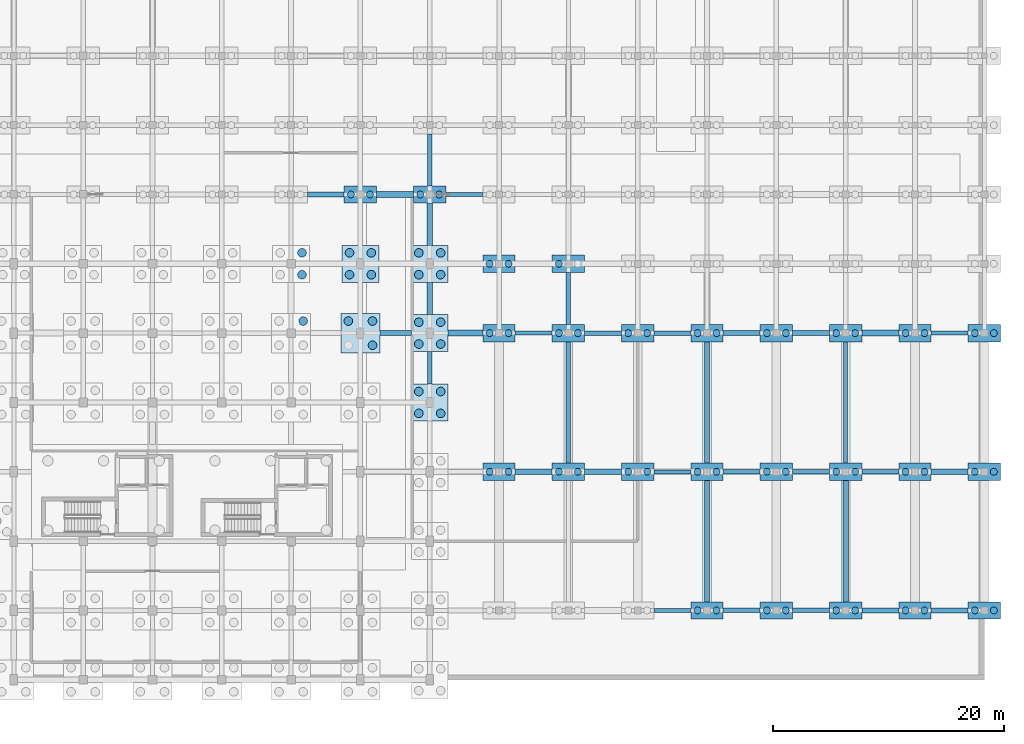
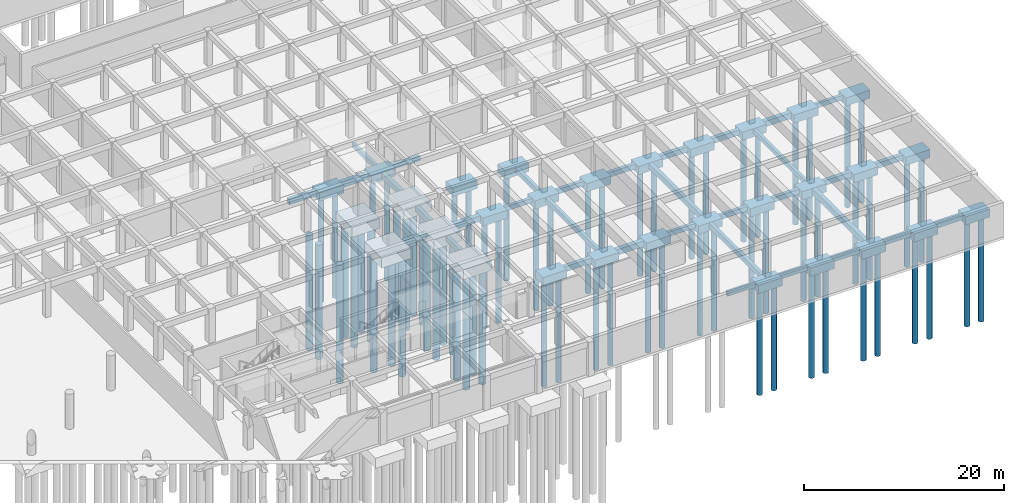
# One storey, part 10 of 41: 71 piles, 64 footings.
"""IFC4 building model written with IfcOpenShell, lengths in metres."""

from ifc_helpers import new_model, si_unit, direction, frame, origin, origin_2d, place, context, subcontext, project, spatial, polyline, rectangle, circle, outline, extrude, material, material_profile, profile_set, type_object, element, save


model = new_model("IFC4")

# Units and contexts
model_context = context("Model", 3, precision=1e-05, world=origin(), true_north=direction((0.0, 1.0)))
body_context = subcontext(model_context, "Body", "Model", "MODEL_VIEW")
ifc_project = project(units=[si_unit("LENGTHUNIT", "METRE"), si_unit("AREAUNIT", "SQUARE_METRE"), si_unit("VOLUMEUNIT", "CUBIC_METRE"), si_unit("PLANEANGLEUNIT", "RADIAN"), si_unit("MASSUNIT", "GRAM", prefix="KILO"), si_unit("POWERUNIT", "WATT"), si_unit("THERMODYNAMICTEMPERATUREUNIT", "KELVIN")], contexts=[model_context])

# Site, building, storey
site_placement = place(None, origin())
site = spatial("IfcSite", under=ifc_project, at=site_placement, CompositionType="ELEMENT")
building_placement = place(site_placement, origin())
building = spatial("IfcBuilding", under=site, at=building_placement, Name="Ruvembo Vaulted Housing Court", CompositionType="ELEMENT")
storey_placement = place(building_placement, frame((0.0, 0.0, -4.5)))
storey = spatial("IfcBuildingStorey", under=building, at=storey_placement, Name="B1", CompositionType="ELEMENT", Elevation=-4.5)

# Footings
ifc_material_1 = material(Name="Concrete C30/37", Category="concrete")
footing_type_1 = type_object("IfcFootingType", Name="GB-350x550", PredefinedType="FOOTING_BEAM", material=ifc_material_1)
footing_1_placement = place(storey_placement, frame((0.0, 0.0, -0.85009765625)))
element("IfcFooting", 1, at=footing_1_placement, inside=storey, type_object=footing_type_1, Name="Ground Tie Beam GB-018", PredefinedType="FOOTING_BEAM", context=body_context, shape_type="SweptSolid", body=[
    extrude(outline(polyline([(157.39990234375, 5.824951171875), (160.60009765625, 5.824951171875), (160.60009765625, 6.175048828125), (157.39990234375, 6.175048828125), (157.39990234375, 5.824951171875)])), origin(), (0.0, 0.0, 1.0), 0.550048828125),
])
footing_2_placement = place(storey_placement, frame((0.0, 0.0, -0.85009765625)))
element("IfcFooting", 2, at=footing_2_placement, inside=storey, type_object=footing_type_1, Name="Ground Tie Beam GB-030", PredefinedType="FOOTING_BEAM", context=body_context, shape_type="SweptSolid", body=[
    extrude(outline(polyline([(157.39990234375, 17.824951171875), (160.60009765625, 17.824951171875), (160.60009765625, 18.175048828125), (157.39990234375, 18.175048828125), (157.39990234375, 17.824951171875)])), origin(), (0.0, 0.0, 1.0), 0.550048828125),
])
footing_3_placement = place(storey_placement, frame((0.0, 0.0, -0.85009765625)))
element("IfcFooting", 3, at=footing_3_placement, inside=storey, type_object=footing_type_1, Name="Ground Tie Beam GB-048", PredefinedType="FOOTING_BEAM", context=body_context, shape_type="SweptSolid", body=[
    extrude(outline(polyline([(145.39990234375, 29.824951171875), (148.60009765625, 29.824951171875), (148.60009765625, 30.175048828125), (145.39990234375, 30.175048828125), (145.39990234375, 29.824951171875)])), origin(), (0.0, 0.0, 1.0), 0.550048828125),
])
footing_4_placement = place(storey_placement, frame((0.0, 0.0, -0.85009765625)))
element("IfcFooting", 4, at=footing_4_placement, inside=storey, type_object=footing_type_1, Name="Ground Tie Beam GB-054", PredefinedType="FOOTING_BEAM", context=body_context, shape_type="SweptSolid", body=[
    extrude(outline(polyline([(181.39990234375, 29.824951171875), (184.60009765625, 29.824951171875), (184.60009765625, 30.175048828125), (181.39990234375, 30.175048828125), (181.39990234375, 29.824951171875)])), origin(), (0.0, 0.0, 1.0), 0.550048828125),
])
footing_5_placement = place(storey_placement, frame((0.0, 0.0, -0.85009765625)))
element("IfcFooting", 5, at=footing_5_placement, inside=storey, type_object=footing_type_1, Name="Ground Tie Beam GB-078", PredefinedType="FOOTING_BEAM", context=body_context, shape_type="SweptSolid", body=[
    extrude(outline(polyline([(139.39990234375, 41.824951171875), (142.60009765625, 41.824951171875), (142.60009765625, 42.175048828125), (139.39990234375, 42.175048828125), (139.39990234375, 41.824951171875)])), origin(), (0.0, 0.0, 1.0), 0.550048828125),
])
footing_6_placement = place(storey_placement, frame((0.0, 0.0, -0.85009765625)))
element("IfcFooting", 6, at=footing_6_placement, inside=storey, type_object=footing_type_1, Name="Ground Tie Beam GB-300", PredefinedType="FOOTING_BEAM", context=body_context, shape_type="SweptSolid", body=[
    extrude(outline(polyline([(137.824951171875, 42.75), (138.175048828125, 42.75), (138.175048828125, 47.25), (137.824951171875, 47.25), (137.824951171875, 42.75)])), origin(), (0.0, 0.0, 1.0), 0.550048828125),
])
footing_7_placement = place(storey_placement, frame((0.0, 0.0, -0.85009765625)))
element("IfcFooting", 7, at=footing_7_placement, inside=storey, type_object=footing_type_1, Name="Ground Tie Beam GB-336", PredefinedType="FOOTING_BEAM", context=body_context, shape_type="SweptSolid", body=[
    extrude(outline(polyline([(173.824951171875, 18.75), (174.175048828125, 18.75), (174.175048828125, 29.25), (173.824951171875, 29.25), (173.824951171875, 18.75)])), origin(), (0.0, 0.0, 1.0), 0.550048828125),
])
footing_type_2 = type_object("IfcFootingType", Name="GB-380x580", PredefinedType="FOOTING_BEAM", material=ifc_material_1)
footing_8_placement = place(storey_placement, frame((0.0, 0.0, -0.8798828125)))
element("IfcFooting", 8, at=footing_8_placement, inside=storey, type_object=footing_type_2, Name="Ground Tie Beam GB-019", PredefinedType="FOOTING_BEAM", context=body_context, shape_type="SweptSolid", body=[
    extrude(outline(polyline([(163.39990234375, 5.81005859375), (166.60009765625, 5.81005859375), (166.60009765625, 6.18994140625), (163.39990234375, 6.18994140625), (163.39990234375, 5.81005859375)])), origin(), (0.0, 0.0, 1.0), 0.579833984375),
])
footing_9_placement = place(storey_placement, frame((0.0, 0.0, -0.8798828125)))
element("IfcFooting", 9, at=footing_9_placement, inside=storey, type_object=footing_type_2, Name="Ground Tie Beam GB-031", PredefinedType="FOOTING_BEAM", context=body_context, shape_type="SweptSolid", body=[
    extrude(outline(polyline([(163.39990234375, 17.81005859375), (166.60009765625, 17.81005859375), (166.60009765625, 18.18994140625), (163.39990234375, 18.18994140625), (163.39990234375, 17.81005859375)])), origin(), (0.0, 0.0, 1.0), 0.579833984375),
])
footing_10_placement = place(storey_placement, frame((0.0, 0.0, -0.8798828125)))
element("IfcFooting", 10, at=footing_10_placement, inside=storey, type_object=footing_type_2, Name="Ground Tie Beam GB-049", PredefinedType="FOOTING_BEAM", context=body_context, shape_type="SweptSolid", body=[
    extrude(outline(polyline([(151.39990234375, 29.81005859375), (154.60009765625, 29.81005859375), (154.60009765625, 30.18994140625), (151.39990234375, 30.18994140625), (151.39990234375, 29.81005859375)])), origin(), (0.0, 0.0, 1.0), 0.579833984375),
])
footing_11_placement = place(storey_placement, frame((0.0, 0.0, -0.8798828125)))
element("IfcFooting", 11, at=footing_11_placement, inside=storey, type_object=footing_type_2, Name="Ground Tie Beam GB-307", PredefinedType="FOOTING_BEAM", context=body_context, shape_type="SweptSolid", body=[
    extrude(outline(polyline([(149.81005859375, 18.75), (150.18994140625, 18.75), (150.18994140625, 29.25), (149.81005859375, 29.25), (149.81005859375, 18.75)])), origin(), (0.0, 0.0, 1.0), 0.579833984375),
])
footing_type_3 = type_object("IfcFootingType", Name="GB-400x600", PredefinedType="FOOTING_BEAM", material=ifc_material_1)
footing_12_placement = place(storey_placement, frame((0.0, 0.0, -0.89990234375)))
element("IfcFooting", 12, at=footing_12_placement, inside=storey, type_object=footing_type_3, Name="Ground Tie Beam GB-020", PredefinedType="FOOTING_BEAM", context=body_context, shape_type="SweptSolid", body=[
    extrude(outline(polyline([(169.39990234375, 5.800048828125), (172.60009765625, 5.800048828125), (172.60009765625, 6.199951171875), (169.39990234375, 6.199951171875), (169.39990234375, 5.800048828125)])), origin(), (0.0, 0.0, 1.0), 0.599853515625),
])
footing_13_placement = place(storey_placement, frame((0.0, 0.0, -0.89990234375)))
element("IfcFooting", 13, at=footing_13_placement, inside=storey, type_object=footing_type_3, Name="Ground Tie Beam GB-032", PredefinedType="FOOTING_BEAM", context=body_context, shape_type="SweptSolid", body=[
    extrude(outline(polyline([(169.39990234375, 17.800048828125), (172.60009765625, 17.800048828125), (172.60009765625, 18.199951171875), (169.39990234375, 18.199951171875), (169.39990234375, 17.800048828125)])), origin(), (0.0, 0.0, 1.0), 0.599853515625),
])
footing_14_placement = place(storey_placement, frame((0.0, 0.0, -0.89990234375)))
element("IfcFooting", 14, at=footing_14_placement, inside=storey, type_object=footing_type_3, Name="Ground Tie Beam GB-050", PredefinedType="FOOTING_BEAM", context=body_context, shape_type="SweptSolid", body=[
    extrude(outline(polyline([(157.39990234375, 29.800048828125), (160.60009765625, 29.800048828125), (160.60009765625, 30.199951171875), (157.39990234375, 30.199951171875), (157.39990234375, 29.800048828125)])), origin(), (0.0, 0.0, 1.0), 0.599853515625),
])
footing_15_placement = place(storey_placement, frame((0.0, 0.0, -0.89990234375)))
element("IfcFooting", 15, at=footing_15_placement, inside=storey, type_object=footing_type_3, Name="Ground Tie Beam GB-308", PredefinedType="FOOTING_BEAM", context=body_context, shape_type="SweptSolid", body=[
    extrude(outline(polyline([(149.800048828125, 30.75), (150.199951171875, 30.75), (150.199951171875, 35.25), (149.800048828125, 35.25), (149.800048828125, 30.75)])), origin(), (0.0, 0.0, 1.0), 0.599853515625),
])
footing_type_4 = type_object("IfcFootingType", Name="GB-420x620", PredefinedType="FOOTING_BEAM", material=ifc_material_1)
footing_16_placement = place(storey_placement, frame((0.0, 0.0, -0.919921875)))
element("IfcFooting", 16, at=footing_16_placement, inside=storey, type_object=footing_type_4, Name="Ground Tie Beam GB-021", PredefinedType="FOOTING_BEAM", context=body_context, shape_type="SweptSolid", body=[
    extrude(outline(polyline([(175.39990234375, 5.7900390625), (178.60009765625, 5.7900390625), (178.60009765625, 6.2099609375), (175.39990234375, 6.2099609375), (175.39990234375, 5.7900390625)])), origin(), (0.0, 0.0, 1.0), 0.619873046875),
])
footing_17_placement = place(storey_placement, frame((0.0, 0.0, -0.919921875)))
element("IfcFooting", 17, at=footing_17_placement, inside=storey, type_object=footing_type_4, Name="Ground Tie Beam GB-033", PredefinedType="FOOTING_BEAM", context=body_context, shape_type="SweptSolid", body=[
    extrude(outline(polyline([(175.39990234375, 17.7900390625), (178.60009765625, 17.7900390625), (178.60009765625, 18.2099609375), (175.39990234375, 18.2099609375), (175.39990234375, 17.7900390625)])), origin(), (0.0, 0.0, 1.0), 0.619873046875),
])
footing_18_placement = place(storey_placement, frame((0.0, 0.0, -0.919921875)))
element("IfcFooting", 18, at=footing_18_placement, inside=storey, type_object=footing_type_4, Name="Ground Tie Beam GB-051", PredefinedType="FOOTING_BEAM", context=body_context, shape_type="SweptSolid", body=[
    extrude(outline(polyline([(163.39990234375, 29.7900390625), (166.60009765625, 29.7900390625), (166.60009765625, 30.2099609375), (163.39990234375, 30.2099609375), (163.39990234375, 29.7900390625)])), origin(), (0.0, 0.0, 1.0), 0.619873046875),
])
footing_19_placement = place(storey_placement, frame((0.0, 0.0, -0.919921875)))
element("IfcFooting", 19, at=footing_19_placement, inside=storey, type_object=footing_type_4, Name="Ground Tie Beam GB-297", PredefinedType="FOOTING_BEAM", context=body_context, shape_type="SweptSolid", body=[
    extrude(outline(polyline([(137.7900390625, 25.60009765625), (138.2099609375, 25.60009765625), (138.2099609375, 28.39990234375), (137.7900390625, 28.39990234375), (137.7900390625, 25.60009765625)])), origin(), (0.0, 0.0, 1.0), 0.619873046875),
])
footing_20_placement = place(storey_placement, frame((0.0, 0.0, -0.919921875)))
element("IfcFooting", 20, at=footing_20_placement, inside=storey, type_object=footing_type_4, Name="Ground Tie Beam GB-321", PredefinedType="FOOTING_BEAM", context=body_context, shape_type="SweptSolid", body=[
    extrude(outline(polyline([(161.7900390625, 6.75), (162.2099609375, 6.75), (162.2099609375, 17.25), (161.7900390625, 17.25), (161.7900390625, 6.75)])), origin(), (0.0, 0.0, 1.0), 0.619873046875),
])
footing_type_5 = type_object("IfcFootingType", Name="GB-450x650", PredefinedType="FOOTING_BEAM", material=ifc_material_1)
footing_21_placement = place(storey_placement, frame((0.0, 0.0, -0.949951171875)))
element("IfcFooting", 21, at=footing_21_placement, inside=storey, type_object=footing_type_5, Name="Ground Tie Beam GB-022", PredefinedType="FOOTING_BEAM", context=body_context, shape_type="SweptSolid", body=[
    extrude(outline(polyline([(181.39990234375, 5.77490234375), (184.60009765625, 5.77490234375), (184.60009765625, 6.22509765625), (181.39990234375, 6.22509765625), (181.39990234375, 5.77490234375)])), origin(), (0.0, 0.0, 1.0), 0.64990234375),
])
footing_22_placement = place(storey_placement, frame((0.0, 0.0, -0.949951171875)))
element("IfcFooting", 22, at=footing_22_placement, inside=storey, type_object=footing_type_5, Name="Ground Tie Beam GB-028", PredefinedType="FOOTING_BEAM", context=body_context, shape_type="SweptSolid", body=[
    extrude(outline(polyline([(145.39990234375, 17.77490234375), (148.60009765625, 17.77490234375), (148.60009765625, 18.22509765625), (145.39990234375, 18.22509765625), (145.39990234375, 17.77490234375)])), origin(), (0.0, 0.0, 1.0), 0.64990234375),
])
footing_23_placement = place(storey_placement, frame((0.0, 0.0, -0.949951171875)))
element("IfcFooting", 23, at=footing_23_placement, inside=storey, type_object=footing_type_5, Name="Ground Tie Beam GB-034", PredefinedType="FOOTING_BEAM", context=body_context, shape_type="SweptSolid", body=[
    extrude(outline(polyline([(181.39990234375, 17.77490234375), (184.60009765625, 17.77490234375), (184.60009765625, 18.22509765625), (181.39990234375, 18.22509765625), (181.39990234375, 17.77490234375)])), origin(), (0.0, 0.0, 1.0), 0.64990234375),
])
footing_24_placement = place(storey_placement, frame((0.0, 0.0, -0.949951171875)))
element("IfcFooting", 24, at=footing_24_placement, inside=storey, type_object=footing_type_5, Name="Ground Tie Beam GB-046", PredefinedType="FOOTING_BEAM", context=body_context, shape_type="SweptSolid", body=[
    extrude(outline(polyline([(133.699951171875, 29.77490234375), (136.39990234375, 29.77490234375), (136.39990234375, 30.22509765625), (133.699951171875, 30.22509765625), (133.699951171875, 29.77490234375)])), origin(), (0.0, 0.0, 1.0), 0.64990234375),
])
footing_25_placement = place(storey_placement, frame((0.0, 0.0, -0.949951171875)))
element("IfcFooting", 25, at=footing_25_placement, inside=storey, type_object=footing_type_5, Name="Ground Tie Beam GB-052", PredefinedType="FOOTING_BEAM", context=body_context, shape_type="SweptSolid", body=[
    extrude(outline(polyline([(169.39990234375, 29.77490234375), (172.60009765625, 29.77490234375), (172.60009765625, 30.22509765625), (169.39990234375, 30.22509765625), (169.39990234375, 29.77490234375)])), origin(), (0.0, 0.0, 1.0), 0.64990234375),
])
footing_26_placement = place(storey_placement, frame((0.0, 0.0, -0.949951171875)))
element("IfcFooting", 26, at=footing_26_placement, inside=storey, type_object=footing_type_5, Name="Ground Tie Beam GB-076", PredefinedType="FOOTING_BEAM", context=body_context, shape_type="SweptSolid", body=[
    extrude(outline(polyline([(127.39990234375, 41.77490234375), (130.60009765625, 41.77490234375), (130.60009765625, 42.22509765625), (127.39990234375, 42.22509765625), (127.39990234375, 41.77490234375)])), origin(), (0.0, 0.0, 1.0), 0.64990234375),
])
footing_27_placement = place(storey_placement, frame((0.0, 0.0, -0.949951171875)))
element("IfcFooting", 27, at=footing_27_placement, inside=storey, type_object=footing_type_5, Name="Ground Tie Beam GB-298", PredefinedType="FOOTING_BEAM", context=body_context, shape_type="SweptSolid", body=[
    extrude(outline(polyline([(137.77490234375, 31.60009765625), (138.22509765625, 31.60009765625), (138.22509765625, 34.39990234375), (137.77490234375, 34.39990234375), (137.77490234375, 31.60009765625)])), origin(), (0.0, 0.0, 1.0), 0.64990234375),
])
footing_28_placement = place(storey_placement, frame((0.0, 0.0, -0.949951171875)))
element("IfcFooting", 28, at=footing_28_placement, inside=storey, type_object=footing_type_5, Name="Ground Tie Beam GB-322", PredefinedType="FOOTING_BEAM", context=body_context, shape_type="SweptSolid", body=[
    extrude(outline(polyline([(161.77490234375, 18.75), (162.22509765625, 18.75), (162.22509765625, 29.25), (161.77490234375, 29.25), (161.77490234375, 18.75)])), origin(), (0.0, 0.0, 1.0), 0.64990234375),
])
footing_type_6 = type_object("IfcFootingType", Name="GB-500x700", PredefinedType="FOOTING_BEAM", material=ifc_material_1)
footing_29_placement = place(storey_placement, frame((0.0, 0.0, -1.0)))
element("IfcFooting", 29, at=footing_29_placement, inside=storey, type_object=footing_type_6, Name="Ground Tie Beam GB-029", PredefinedType="FOOTING_BEAM", context=body_context, shape_type="SweptSolid", body=[
    extrude(outline(polyline([(151.39990234375, 17.75), (154.60009765625, 17.75), (154.60009765625, 18.25), (151.39990234375, 18.25), (151.39990234375, 17.75)])), origin(), (0.0, 0.0, 1.0), 0.699951171875),
])
footing_30_placement = place(storey_placement, frame((0.0, 0.0, -1.0)))
element("IfcFooting", 30, at=footing_30_placement, inside=storey, type_object=footing_type_6, Name="Ground Tie Beam GB-047", PredefinedType="FOOTING_BEAM", context=body_context, shape_type="SweptSolid", body=[
    extrude(outline(polyline([(139.60009765625, 29.75), (142.60009765625, 29.75), (142.60009765625, 30.25), (139.60009765625, 30.25), (139.60009765625, 29.75)])), origin(), (0.0, 0.0, 1.0), 0.699951171875),
])
footing_31_placement = place(storey_placement, frame((0.0, 0.0, -1.0)))
element("IfcFooting", 31, at=footing_31_placement, inside=storey, type_object=footing_type_6, Name="Ground Tie Beam GB-053", PredefinedType="FOOTING_BEAM", context=body_context, shape_type="SweptSolid", body=[
    extrude(outline(polyline([(175.39990234375, 29.75), (178.60009765625, 29.75), (178.60009765625, 30.25), (175.39990234375, 30.25), (175.39990234375, 29.75)])), origin(), (0.0, 0.0, 1.0), 0.699951171875),
])
footing_32_placement = place(storey_placement, frame((0.0, 0.0, -1.0)))
element("IfcFooting", 32, at=footing_32_placement, inside=storey, type_object=footing_type_6, Name="Ground Tie Beam GB-077", PredefinedType="FOOTING_BEAM", context=body_context, shape_type="SweptSolid", body=[
    extrude(outline(polyline([(133.39990234375, 41.75), (136.60009765625, 41.75), (136.60009765625, 42.25), (133.39990234375, 42.25), (133.39990234375, 41.75)])), origin(), (0.0, 0.0, 1.0), 0.699951171875),
])
footing_33_placement = place(storey_placement, frame((0.0, 0.0, -1.0)))
element("IfcFooting", 33, at=footing_33_placement, inside=storey, type_object=footing_type_6, Name="Ground Tie Beam GB-299", PredefinedType="FOOTING_BEAM", context=body_context, shape_type="SweptSolid", body=[
    extrude(outline(polyline([(137.75, 37.60009765625), (138.25, 37.60009765625), (138.25, 41.25), (137.75, 41.25), (137.75, 37.60009765625)])), origin(), (0.0, 0.0, 1.0), 0.699951171875),
])
footing_34_placement = place(storey_placement, frame((0.0, 0.0, -1.0)))
element("IfcFooting", 34, at=footing_34_placement, inside=storey, type_object=footing_type_6, Name="Ground Tie Beam GB-335", PredefinedType="FOOTING_BEAM", context=body_context, shape_type="SweptSolid", body=[
    extrude(outline(polyline([(173.75, 6.75), (174.25, 6.75), (174.25, 17.25), (173.75, 17.25), (173.75, 6.75)])), origin(), (0.0, 0.0, 1.0), 0.699951171875),
])
ifc_material_2 = material(Name="Concrete C35/45", Category="concrete")
footing_type_7 = type_object("IfcFootingType", Name="PC-2P-A", PredefinedType="PILE_CAP", material=ifc_material_2)
for number, where, z_axis, x_axis, name in (
    (35, (132.0, 42.0, -1.300048828125), (0.0, 0.0, 1.0), (1.0, 0.0, 0.0), "Pile Cap PC1 #263"),
    (36, (138.0, 42.0, -1.300048828125), (0.0, 0.0, 1.0), (1.0, 0.0, 0.0), "Pile Cap PC1 #275"),
    (37, (144.0, 18.0, -1.300048828125), (0.0, 0.0, 1.0), (1.0, 0.0, 0.0), "Pile Cap PC1 #283"),
    (38, (144.0, 30.0, -1.300048828125), (0.0, 0.0, 1.0), (1.0, 0.0, 0.0), "Pile Cap PC1 #284"),
    (39, (144.0, 36.0, -1.300048828125), (0.0, 0.0, 1.0), (1.0, 0.0, 0.0), "Pile Cap PC1 #285"),
    (40, (150.0, 18.0, -1.300048828125), (0.0, 0.0, 1.0), (1.0, 0.0, 0.0), "Pile Cap PC1 #294"),
    (41, (150.0, 30.0, -1.300048828125), (0.0, 0.0, 1.0), (1.0, 0.0, 0.0), "Pile Cap PC1 #295"),
    (42, (150.0, 36.0, -1.300048828125), (0.0, 0.0, 1.0), (1.0, 0.0, 0.0), "Pile Cap PC1 #296"),
    (43, (156.0, 18.0, -1.300048828125), (0.0, 0.0, 1.0), (1.0, 0.0, 0.0), "Pile Cap PC1 #310"),
    (44, (156.0, 30.0, -1.300048828125), (0.0, 0.0, 1.0), (1.0, 0.0, 0.0), "Pile Cap PC1 #311"),
    (45, (162.0, 6.0, -1.300048828125), (0.0, 0.0, 1.0), (1.0, 0.0, 0.0), "Pile Cap PC1 #323"),
    (46, (162.0, 18.0, -1.300048828125), (0.0, 0.0, 1.0), (1.0, 0.0, 0.0), "Pile Cap PC1 #324"),
    (47, (162.0, 30.0, -1.300048828125), (0.0, 0.0, 1.0), (1.0, 0.0, 0.0), "Pile Cap PC1 #325"),
    (48, (168.0, 6.0, -1.300048828125), (0.0, 0.0, 1.0), (1.0, 0.0, 0.0), "Pile Cap PC1 #337"),
    (49, (168.0, 18.0, -1.300048828125), (0.0, 0.0, 1.0), (1.0, 0.0, 0.0), "Pile Cap PC1 #338"),
    (50, (168.0, 30.0, -1.300048828125), (0.0, 0.0, 1.0), (1.0, 0.0, 0.0), "Pile Cap PC1 #339"),
    (51, (174.0, 6.0, -1.300048828125), (0.0, 0.0, 1.0), (1.0, 0.0, 0.0), "Pile Cap PC1 #351"),
    (52, (174.0, 18.0, -1.300048828125), (0.0, 0.0, 1.0), (1.0, 0.0, 0.0), "Pile Cap PC1 #352"),
    (53, (174.0, 30.0, -1.300048828125), (0.0, 0.0, 1.0), (1.0, 0.0, 0.0), "Pile Cap PC1 #353"),
    (54, (180.0, 6.0, -1.300048828125), (0.0, 0.0, 1.0), (1.0, 0.0, 0.0), "Pile Cap PC1 #365"),
    (55, (180.0, 18.0, -1.300048828125), (0.0, 0.0, 1.0), (1.0, 0.0, 0.0), "Pile Cap PC1 #366"),
    (56, (180.0, 30.0, -1.300048828125), (0.0, 0.0, 1.0), (1.0, 0.0, 0.0), "Pile Cap PC1 #367"),
    (57, (186.0, 6.0, -1.300048828125), (0.0, 0.0, 1.0), (1.0, 0.0, 0.0), "Pile Cap PC1 #379"),
    (58, (186.0, 18.0, -1.300048828125), (0.0, 0.0, 1.0), (1.0, 0.0, 0.0), "Pile Cap PC1 #380"),
    (59, (186.0, 30.0, -1.300048828125), (0.0, 0.0, 1.0), (1.0, 0.0, 0.0), "Pile Cap PC1 #381"),
):
    element("IfcFooting", number, at=place(storey_placement, frame(where, z_axis=z_axis, x_axis=x_axis)), inside=storey, type_object=footing_type_7, Name=name, PredefinedType="PILE_CAP", context=body_context, shape_type="SweptSolid", body=[
        extrude(rectangle(XDim=2.800048828125, YDim=1.5, at=origin_2d()), origin(), (0.0, 0.0, 1.0), 1.0),
    ])
footing_type_8 = type_object("IfcFootingType", Name="PC-4P-A", PredefinedType="PILE_CAP", material=ifc_material_2)
for number, where, z_axis, x_axis, name in (
    (60, (132.0, 36.0, -1.5), (0.0, 0.0, 1.0), (1.0, 0.0, 0.0), "Pile Cap PC4 #262"),
    (61, (138.0, 24.0, -1.5), (0.0, 0.0, 1.0), (1.0, 0.0, 0.0), "Pile Cap PC4 #272"),
    (62, (138.0, 30.0, -1.5), (0.0, 0.0, 1.0), (1.0, 0.0, 0.0), "Pile Cap PC4 #273"),
    (63, (138.0, 36.0, -1.5), (0.0, 0.0, 1.0), (1.0, 0.0, 0.0), "Pile Cap PC4 #274"),
):
    element("IfcFooting", number, at=place(storey_placement, frame(where, z_axis=z_axis, x_axis=x_axis)), inside=storey, type_object=footing_type_8, Name=name, PredefinedType="PILE_CAP", context=body_context, shape_type="SweptSolid", body=[
        extrude(rectangle(XDim=3.199951171875, YDim=3.199951171875, at=origin_2d()), origin(), (0.0, 0.0, 1.0), 1.199951171875),
    ])
footing_type_9 = type_object("IfcFootingType", Name="PC-4P-B", PredefinedType="PILE_CAP", material=ifc_material_2)
footing_35_placement = place(storey_placement, frame((132.0, 30.0, -1.550048828125), z_axis=(0.0, 0.0, 1.0), x_axis=(1.0, 0.0, 0.0)))
element("IfcFooting", 64, at=footing_35_placement, inside=storey, type_object=footing_type_9, Name="Pile Cap PC5 #261", PredefinedType="PILE_CAP", context=body_context, shape_type="SweptSolid", body=[
    extrude(rectangle(XDim=3.39990234375, YDim=3.39990234375, at=origin_2d()), origin(), (0.0, 0.0, 1.0), 1.25),
])

# Piles
ifc_material_profile_1 = material_profile(ifc_material_1, circle(Radius=0.300048828125, at=origin_2d()), Name="PILE D600")
ifc_profile_set_1 = profile_set([ifc_material_profile_1], Name="Concrete C30/37")
pile_type_1 = type_object("IfcPileType", Name="PILE-BORED-600", PredefinedType="BORED", material=ifc_profile_set_1)
for number, where, z_axis, x_axis, name in (
    (65, (131.179931640625, 42.0, -1.199951171875), (0.0, 0.0, -1.0), (1.0, 0.0, 0.0), "Bored Pile PILE-0735"),
    (66, (132.820068359375, 42.0, -1.199951171875), (0.0, 0.0, -1.0), (1.0, 0.0, 0.0), "Bored Pile PILE-0736"),
    (67, (137.179931640625, 42.0, -1.199951171875), (0.0, 0.0, -1.0), (1.0, 0.0, 0.0), "Bored Pile PILE-0773"),
    (68, (138.820068359375, 42.0, -1.199951171875), (0.0, 0.0, -1.0), (1.0, 0.0, 0.0), "Bored Pile PILE-0774"),
    (69, (143.179931640625, 18.0, -1.199951171875), (0.0, 0.0, -1.0), (1.0, 0.0, 0.0), "Bored Pile PILE-0789"),
    (70, (144.820068359375, 18.0, -1.199951171875), (0.0, 0.0, -1.0), (1.0, 0.0, 0.0), "Bored Pile PILE-0790"),
    (71, (143.179931640625, 30.0, -1.199951171875), (0.0, 0.0, -1.0), (1.0, 0.0, 0.0), "Bored Pile PILE-0791"),
    (72, (144.820068359375, 30.0, -1.199951171875), (0.0, 0.0, -1.0), (1.0, 0.0, 0.0), "Bored Pile PILE-0792"),
    (73, (143.179931640625, 36.0, -1.199951171875), (0.0, 0.0, -1.0), (1.0, 0.0, 0.0), "Bored Pile PILE-0793"),
    (74, (144.820068359375, 36.0, -1.199951171875), (0.0, 0.0, -1.0), (1.0, 0.0, 0.0), "Bored Pile PILE-0794"),
    (75, (149.179931640625, 18.0, -1.199951171875), (0.0, 0.0, -1.0), (1.0, 0.0, 0.0), "Bored Pile PILE-0811"),
    (76, (150.820068359375, 18.0, -1.199951171875), (0.0, 0.0, -1.0), (1.0, 0.0, 0.0), "Bored Pile PILE-0812"),
    (77, (149.179931640625, 30.0, -1.199951171875), (0.0, 0.0, -1.0), (1.0, 0.0, 0.0), "Bored Pile PILE-0813"),
    (78, (150.820068359375, 30.0, -1.199951171875), (0.0, 0.0, -1.0), (1.0, 0.0, 0.0), "Bored Pile PILE-0814"),
    (79, (149.179931640625, 36.0, -1.199951171875), (0.0, 0.0, -1.0), (1.0, 0.0, 0.0), "Bored Pile PILE-0815"),
    (80, (155.179931640625, 18.0, -1.199951171875), (0.0, 0.0, -1.0), (1.0, 0.0, 0.0), "Bored Pile PILE-0843"),
    (81, (156.820068359375, 18.0, -1.199951171875), (0.0, 0.0, -1.0), (1.0, 0.0, 0.0), "Bored Pile PILE-0844"),
    (82, (155.179931640625, 30.0, -1.199951171875), (0.0, 0.0, -1.0), (1.0, 0.0, 0.0), "Bored Pile PILE-0845"),
    (83, (156.820068359375, 30.0, -1.199951171875), (0.0, 0.0, -1.0), (1.0, 0.0, 0.0), "Bored Pile PILE-0846"),
    (84, (161.179931640625, 6.0, -1.199951171875), (0.0, 0.0, -1.0), (1.0, 0.0, 0.0), "Bored Pile PILE-0877"),
    (85, (162.820068359375, 6.0, -1.199951171875), (0.0, 0.0, -1.0), (1.0, 0.0, 0.0), "Bored Pile PILE-0878"),
    (86, (161.179931640625, 18.0, -1.199951171875), (0.0, 0.0, -1.0), (1.0, 0.0, 0.0), "Bored Pile PILE-0879"),
    (87, (162.820068359375, 18.0, -1.199951171875), (0.0, 0.0, -1.0), (1.0, 0.0, 0.0), "Bored Pile PILE-0880"),
    (88, (161.179931640625, 30.0, -1.199951171875), (0.0, 0.0, -1.0), (1.0, 0.0, 0.0), "Bored Pile PILE-0881"),
    (89, (162.820068359375, 30.0, -1.199951171875), (0.0, 0.0, -1.0), (1.0, 0.0, 0.0), "Bored Pile PILE-0882"),
    (90, (167.179931640625, 6.0, -1.199951171875), (0.0, 0.0, -1.0), (1.0, 0.0, 0.0), "Bored Pile PILE-0913"),
    (91, (168.820068359375, 6.0, -1.199951171875), (0.0, 0.0, -1.0), (1.0, 0.0, 0.0), "Bored Pile PILE-0914"),
    (92, (167.179931640625, 18.0, -1.199951171875), (0.0, 0.0, -1.0), (1.0, 0.0, 0.0), "Bored Pile PILE-0915"),
    (93, (168.820068359375, 18.0, -1.199951171875), (0.0, 0.0, -1.0), (1.0, 0.0, 0.0), "Bored Pile PILE-0916"),
    (94, (167.179931640625, 30.0, -1.199951171875), (0.0, 0.0, -1.0), (1.0, 0.0, 0.0), "Bored Pile PILE-0917"),
    (95, (168.820068359375, 30.0, -1.199951171875), (0.0, 0.0, -1.0), (1.0, 0.0, 0.0), "Bored Pile PILE-0918"),
    (96, (173.179931640625, 6.0, -1.199951171875), (0.0, 0.0, -1.0), (1.0, 0.0, 0.0), "Bored Pile PILE-0949"),
    (97, (174.820068359375, 6.0, -1.199951171875), (0.0, 0.0, -1.0), (1.0, 0.0, 0.0), "Bored Pile PILE-0950"),
    (98, (173.179931640625, 18.0, -1.199951171875), (0.0, 0.0, -1.0), (1.0, 0.0, 0.0), "Bored Pile PILE-0951"),
    (99, (174.820068359375, 18.0, -1.199951171875), (0.0, 0.0, -1.0), (1.0, 0.0, 0.0), "Bored Pile PILE-0952"),
    (100, (173.179931640625, 30.0, -1.199951171875), (0.0, 0.0, -1.0), (1.0, 0.0, 0.0), "Bored Pile PILE-0953"),
    (101, (174.820068359375, 30.0, -1.199951171875), (0.0, 0.0, -1.0), (1.0, 0.0, 0.0), "Bored Pile PILE-0954"),
    (102, (179.179931640625, 6.0, -1.199951171875), (0.0, 0.0, -1.0), (1.0, 0.0, 0.0), "Bored Pile PILE-0985"),
    (103, (180.820068359375, 6.0, -1.199951171875), (0.0, 0.0, -1.0), (1.0, 0.0, 0.0), "Bored Pile PILE-0986"),
    (104, (179.179931640625, 18.0, -1.199951171875), (0.0, 0.0, -1.0), (1.0, 0.0, 0.0), "Bored Pile PILE-0987"),
    (105, (180.820068359375, 18.0, -1.199951171875), (0.0, 0.0, -1.0), (1.0, 0.0, 0.0), "Bored Pile PILE-0988"),
    (106, (179.179931640625, 30.0, -1.199951171875), (0.0, 0.0, -1.0), (1.0, 0.0, 0.0), "Bored Pile PILE-0989"),
    (107, (180.820068359375, 30.0, -1.199951171875), (0.0, 0.0, -1.0), (1.0, 0.0, 0.0), "Bored Pile PILE-0990"),
    (108, (185.179931640625, 6.0, -1.199951171875), (0.0, 0.0, -1.0), (1.0, 0.0, 0.0), "Bored Pile PILE-1021"),
    (109, (186.820068359375, 6.0, -1.199951171875), (0.0, 0.0, -1.0), (1.0, 0.0, 0.0), "Bored Pile PILE-1022"),
    (110, (185.179931640625, 18.0, -1.199951171875), (0.0, 0.0, -1.0), (1.0, 0.0, 0.0), "Bored Pile PILE-1023"),
    (111, (186.820068359375, 18.0, -1.199951171875), (0.0, 0.0, -1.0), (1.0, 0.0, 0.0), "Bored Pile PILE-1024"),
    (112, (185.179931640625, 30.0, -1.199951171875), (0.0, 0.0, -1.0), (1.0, 0.0, 0.0), "Bored Pile PILE-1025"),
    (113, (186.820068359375, 30.0, -1.199951171875), (0.0, 0.0, -1.0), (1.0, 0.0, 0.0), "Bored Pile PILE-1026"),
):
    element("IfcPile", number, at=place(storey_placement, frame(where, z_axis=z_axis, x_axis=x_axis)), inside=storey, type_object=pile_type_1, Name=name, PredefinedType="BORED", context=body_context, shape_type="SweptSolid", body=[
        extrude(circle(Radius=0.300048828125, at=origin_2d()), origin(), (0.0, 0.0, 1.0), 13.0),
    ])
ifc_material_profile_2 = material_profile(ifc_material_1, circle(Radius=0.375, at=origin_2d()), Name="PILE D750")
ifc_profile_set_2 = profile_set([ifc_material_profile_2], Name="Concrete C30/37")
pile_type_2 = type_object("IfcPileType", Name="PILE-BORED-750", PredefinedType="BORED", material=ifc_profile_set_2)
pile_placement = place(storey_placement, frame((127.044921875, 31.044921875, -1.449951171875), z_axis=(0.0, 0.0, -1.0), x_axis=(1.0, 0.0, 0.0)))
element("IfcPile", 114, at=pile_placement, inside=storey, type_object=pile_type_2, Name="Bored Pile PILE-0700", PredefinedType="BORED", context=body_context, shape_type="SweptSolid", body=[
    extrude(circle(Radius=0.375, at=origin_2d()), origin(), (0.0, 0.0, 1.0), 14.5),
])
for number, where, z_axis, x_axis, name in (
    (115, (126.945068359375, 35.054931640625, -1.39990234375), (0.0, 0.0, -1.0), (1.0, 0.0, 0.0), "Bored Pile PILE-0702"),
    (116, (126.945068359375, 36.945068359375, -1.39990234375), (0.0, 0.0, -1.0), (1.0, 0.0, 0.0), "Bored Pile PILE-0704"),
):
    element("IfcPile", number, at=place(storey_placement, frame(where, z_axis=z_axis, x_axis=x_axis)), inside=storey, type_object=pile_type_2, Name=name, PredefinedType="BORED", context=body_context, shape_type="SweptSolid", body=[
        extrude(circle(Radius=0.375, at=origin_2d()), origin(), (0.0, 0.0, 1.0), 14.0),
    ])
for number, where, z_axis, x_axis, name in (
    (117, (133.044921875, 28.955078125, -1.449951171875), (0.0, 0.0, -1.0), (1.0, 0.0, 0.0), "Bored Pile PILE-0728"),
    (118, (130.955078125, 31.044921875, -1.449951171875), (0.0, 0.0, -1.0), (1.0, 0.0, 0.0), "Bored Pile PILE-0729"),
    (119, (133.044921875, 31.044921875, -1.449951171875), (0.0, 0.0, -1.0), (1.0, 0.0, 0.0), "Bored Pile PILE-0730"),
):
    element("IfcPile", number, at=place(storey_placement, frame(where, z_axis=z_axis, x_axis=x_axis)), inside=storey, type_object=pile_type_2, Name=name, PredefinedType="BORED", context=body_context, shape_type="SweptSolid", body=[
        extrude(circle(Radius=0.375, at=origin_2d()), origin(), (0.0, 0.0, 1.0), 14.5),
    ])
for number, where, z_axis, x_axis, name in (
    (120, (131.054931640625, 35.054931640625, -1.39990234375), (0.0, 0.0, -1.0), (1.0, 0.0, 0.0), "Bored Pile PILE-0731"),
    (121, (132.945068359375, 35.054931640625, -1.39990234375), (0.0, 0.0, -1.0), (1.0, 0.0, 0.0), "Bored Pile PILE-0732"),
    (122, (131.054931640625, 36.945068359375, -1.39990234375), (0.0, 0.0, -1.0), (1.0, 0.0, 0.0), "Bored Pile PILE-0733"),
    (123, (132.945068359375, 36.945068359375, -1.39990234375), (0.0, 0.0, -1.0), (1.0, 0.0, 0.0), "Bored Pile PILE-0734"),
    (124, (137.054931640625, 23.054931640625, -1.39990234375), (0.0, 0.0, -1.0), (1.0, 0.0, 0.0), "Bored Pile PILE-0761"),
    (125, (138.945068359375, 23.054931640625, -1.39990234375), (0.0, 0.0, -1.0), (1.0, 0.0, 0.0), "Bored Pile PILE-0762"),
    (126, (137.054931640625, 24.945068359375, -1.39990234375), (0.0, 0.0, -1.0), (1.0, 0.0, 0.0), "Bored Pile PILE-0763"),
    (127, (138.945068359375, 24.945068359375, -1.39990234375), (0.0, 0.0, -1.0), (1.0, 0.0, 0.0), "Bored Pile PILE-0764"),
    (128, (137.054931640625, 29.054931640625, -1.39990234375), (0.0, 0.0, -1.0), (1.0, 0.0, 0.0), "Bored Pile PILE-0765"),
    (129, (138.945068359375, 29.054931640625, -1.39990234375), (0.0, 0.0, -1.0), (1.0, 0.0, 0.0), "Bored Pile PILE-0766"),
    (130, (137.054931640625, 30.945068359375, -1.39990234375), (0.0, 0.0, -1.0), (1.0, 0.0, 0.0), "Bored Pile PILE-0767"),
    (131, (138.945068359375, 30.945068359375, -1.39990234375), (0.0, 0.0, -1.0), (1.0, 0.0, 0.0), "Bored Pile PILE-0768"),
    (132, (137.054931640625, 35.054931640625, -1.39990234375), (0.0, 0.0, -1.0), (1.0, 0.0, 0.0), "Bored Pile PILE-0769"),
    (133, (138.945068359375, 35.054931640625, -1.39990234375), (0.0, 0.0, -1.0), (1.0, 0.0, 0.0), "Bored Pile PILE-0770"),
    (134, (137.054931640625, 36.945068359375, -1.39990234375), (0.0, 0.0, -1.0), (1.0, 0.0, 0.0), "Bored Pile PILE-0771"),
    (135, (138.945068359375, 36.945068359375, -1.39990234375), (0.0, 0.0, -1.0), (1.0, 0.0, 0.0), "Bored Pile PILE-0772"),
):
    element("IfcPile", number, at=place(storey_placement, frame(where, z_axis=z_axis, x_axis=x_axis)), inside=storey, type_object=pile_type_2, Name=name, PredefinedType="BORED", context=body_context, shape_type="SweptSolid", body=[
        extrude(circle(Radius=0.375, at=origin_2d()), origin(), (0.0, 0.0, 1.0), 14.0),
    ])

save(model, "model.ifc")
